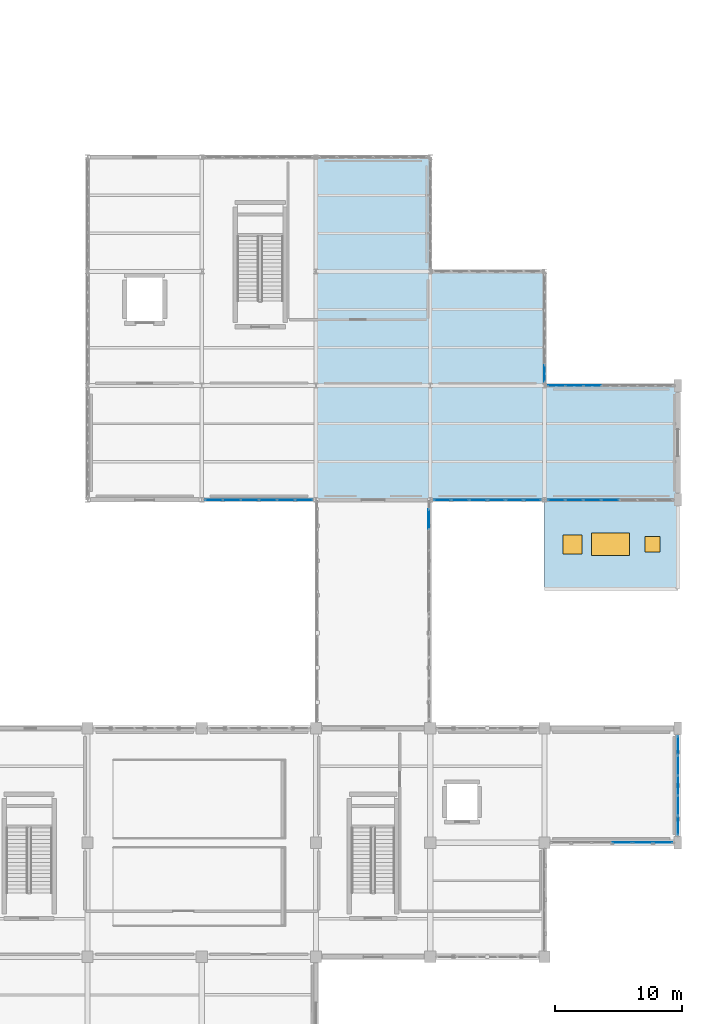
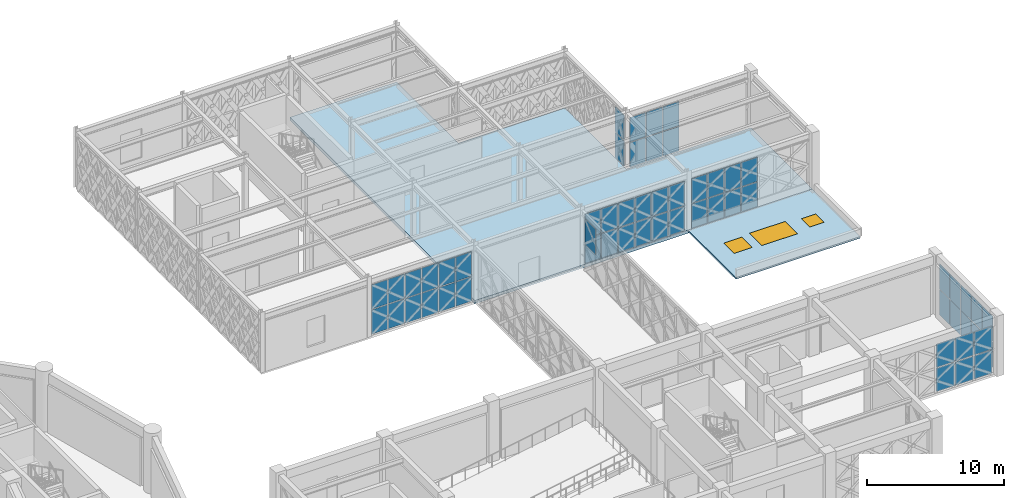
# One storey, part 136 of 166: 57 plates, 2 slabs, 2 windows, 1 door, 3 openings, 8 elements without a shape of their own.
"""IFC4 building model written with IfcOpenShell, lengths in metres."""

from ifc_helpers import new_model, si_unit, direction, frame, origin, origin_2d, place, context, subcontext, project, spatial, polyline, rectangle, outline, extrude, material, layer, layer_set, type_object, element, fill, aggregate, save


model = new_model("IFC4")

# Units and contexts
model_context = context("Model", 3, precision=1e-05, world=origin(), true_north=direction((0.0, 1.0)))
body_context = subcontext(model_context, "Body", "Model", "MODEL_VIEW")
ifc_project = project(units=[si_unit("LENGTHUNIT", "METRE"), si_unit("AREAUNIT", "SQUARE_METRE"), si_unit("VOLUMEUNIT", "CUBIC_METRE"), si_unit("PLANEANGLEUNIT", "RADIAN"), si_unit("MASSUNIT", "GRAM", prefix="KILO")], contexts=[model_context])

# Site, building, storey
site_placement = place(None, origin())
site = spatial("IfcSite", under=ifc_project, at=site_placement, CompositionType="ELEMENT")
building_placement = place(site_placement, origin())
building = spatial("IfcBuilding", under=site, at=building_placement, Name="Haizhuo Lancet Aquarium", CompositionType="ELEMENT")
storey_placement = place(building_placement, frame((0.0, 0.0, 5.39990234375)))
storey = spatial("IfcBuildingStorey", under=building, at=storey_placement, Name="L01", CompositionType="ELEMENT", Elevation=5.39990234375)

# Curtain wall, plates
ifc_material_1 = material(Name="Aluminium 6063-T6", Category="aluminium")
curtain_wall_type_1 = type_object("IfcCurtainWallType", Name="CWO-7910x4700", PredefinedType="NOTDEFINED", material=ifc_material_1)
curtain_wall_1_placement = place(storey_placement, origin())
curtain_wall_1 = element("IfcCurtainWall", 1, at=curtain_wall_1_placement, inside=storey, type_object=curtain_wall_type_1, Name="L01 curtain wall CW-V3-L01-041", PredefinedType="NOTDEFINED")
ifc_material_2 = material(Name="Laminated Low-E Glass", Category="glass")
ifc_layer_1 = layer(ifc_material_2, 0.028076171875)
ifc_layer_set_1 = layer_set([ifc_layer_1], Name="Laminated Low-E Glass")
plate_type_1 = type_object("IfcPlateType", Name="CW-PNL-1", PredefinedType="CURTAIN_PANEL", material=ifc_layer_set_1)
plate_1_placement = place(storey_placement, frame((82.5, -10.35498046875, 0.0751953125), z_axis=(0.0, 0.0, 1.0), x_axis=(0.0, -1.0, 0.0)))
plate_1 = element("IfcPlate", 2, at=plate_1_placement, type_object=plate_type_1, Name="CWO-79x47 panel 1.1", PredefinedType="CURTAIN_PANEL", context=body_context, shape_type="SweptSolid", body=[
    extrude(rectangle(XDim=1.468994140625, YDim=0.028076171875, at=origin_2d()), origin(), (0.0, 0.0, 1.0), 2.238037109375),
])
plate_2_placement = place(storey_placement, frame((82.5, -10.35498046875, 2.38720703125), z_axis=(0.0, 0.0, 1.0), x_axis=(0.0, -1.0, 0.0)))
plate_2 = element("IfcPlate", 3, at=plate_2_placement, type_object=plate_type_1, Name="CWO-79x47 panel 1.2", PredefinedType="CURTAIN_PANEL", context=body_context, shape_type="SweptSolid", body=[
    extrude(rectangle(XDim=1.468994140625, YDim=0.028076171875, at=origin_2d()), origin(), (0.0, 0.0, 1.0), 2.238037109375),
])
plate_3_placement = place(storey_placement, frame((82.5, -11.91796875, 0.0751953125), z_axis=(0.0, 0.0, 1.0), x_axis=(0.0, -1.0, 0.0)))
plate_3 = element("IfcPlate", 4, at=plate_3_placement, type_object=plate_type_1, Name="CWO-79x47 panel 2.1", PredefinedType="CURTAIN_PANEL", context=body_context, shape_type="SweptSolid", body=[
    extrude(rectangle(XDim=1.507080078125, YDim=0.028076171875, at=origin_2d()), origin(), (0.0, 0.0, 1.0), 2.238037109375),
])
plate_4_placement = place(storey_placement, frame((82.5, -11.91796875, 2.38720703125), z_axis=(0.0, 0.0, 1.0), x_axis=(0.0, -1.0, 0.0)))
plate_4 = element("IfcPlate", 5, at=plate_4_placement, type_object=plate_type_1, Name="CWO-79x47 panel 2.2", PredefinedType="CURTAIN_PANEL", context=body_context, shape_type="SweptSolid", body=[
    extrude(rectangle(XDim=1.507080078125, YDim=0.028076171875, at=origin_2d()), origin(), (0.0, 0.0, 1.0), 2.238037109375),
])
plate_5_placement = place(storey_placement, frame((82.5, -13.5, 0.0751953125), z_axis=(0.0, 0.0, 1.0), x_axis=(0.0, -1.0, 0.0)))
plate_5 = element("IfcPlate", 6, at=plate_5_placement, type_object=plate_type_1, Name="CWO-79x47 panel 3.1", PredefinedType="CURTAIN_PANEL", context=body_context, shape_type="SweptSolid", body=[
    extrude(rectangle(XDim=1.507080078125, YDim=0.028076171875, at=origin_2d()), origin(), (0.0, 0.0, 1.0), 2.238037109375),
])
plate_6_placement = place(storey_placement, frame((82.5, -13.5, 2.38720703125), z_axis=(0.0, 0.0, 1.0), x_axis=(0.0, -1.0, 0.0)))
plate_6 = element("IfcPlate", 7, at=plate_6_placement, type_object=plate_type_1, Name="CWO-79x47 panel 3.2", PredefinedType="CURTAIN_PANEL", context=body_context, shape_type="SweptSolid", body=[
    extrude(rectangle(XDim=1.507080078125, YDim=0.028076171875, at=origin_2d()), origin(), (0.0, 0.0, 1.0), 2.238037109375),
])
plate_7_placement = place(storey_placement, frame((82.5, -15.08203125, 0.0751953125), z_axis=(0.0, 0.0, 1.0), x_axis=(0.0, -1.0, 0.0)))
plate_7 = element("IfcPlate", 8, at=plate_7_placement, type_object=plate_type_1, Name="CWO-79x47 panel 4.1", PredefinedType="CURTAIN_PANEL", context=body_context, shape_type="SweptSolid", body=[
    extrude(rectangle(XDim=1.507080078125, YDim=0.028076171875, at=origin_2d()), origin(), (0.0, 0.0, 1.0), 2.238037109375),
])
plate_8_placement = place(storey_placement, frame((82.5, -15.08203125, 2.38720703125), z_axis=(0.0, 0.0, 1.0), x_axis=(0.0, -1.0, 0.0)))
plate_8 = element("IfcPlate", 9, at=plate_8_placement, type_object=plate_type_1, Name="CWO-79x47 panel 4.2", PredefinedType="CURTAIN_PANEL", context=body_context, shape_type="SweptSolid", body=[
    extrude(rectangle(XDim=1.507080078125, YDim=0.028076171875, at=origin_2d()), origin(), (0.0, 0.0, 1.0), 2.238037109375),
])
plate_9_placement = place(storey_placement, frame((82.5, -16.64501953125, 0.0751953125), z_axis=(0.0, 0.0, 1.0), x_axis=(0.0, -1.0, 0.0)))
plate_9 = element("IfcPlate", 10, at=plate_9_placement, type_object=plate_type_1, Name="CWO-79x47 panel 5.1", PredefinedType="CURTAIN_PANEL", context=body_context, shape_type="SweptSolid", body=[
    extrude(rectangle(XDim=1.469970703125, YDim=0.028076171875, at=origin_2d()), origin(), (0.0, 0.0, 1.0), 2.238037109375),
])
plate_10_placement = place(storey_placement, frame((82.5, -16.64501953125, 2.38720703125), z_axis=(0.0, 0.0, 1.0), x_axis=(0.0, -1.0, 0.0)))
plate_10 = element("IfcPlate", 11, at=plate_10_placement, type_object=plate_type_1, Name="CWO-79x47 panel 5.2", PredefinedType="CURTAIN_PANEL", context=body_context, shape_type="SweptSolid", body=[
    extrude(rectangle(XDim=1.469970703125, YDim=0.028076171875, at=origin_2d()), origin(), (0.0, 0.0, 1.0), 2.238037109375),
])
aggregate(curtain_wall_1, [plate_1, plate_2, plate_3, plate_4, plate_5, plate_6, plate_7, plate_8, plate_9, plate_10])

curtain_wall_type_2 = type_object("IfcCurtainWallType", Name="CWD-9940x4550", PredefinedType="NOTDEFINED", material=ifc_material_1)
curtain_wall_2_placement = place(storey_placement, origin())
curtain_wall_2 = element("IfcCurtainWall", 12, at=curtain_wall_2_placement, inside=storey, type_object=curtain_wall_type_2, Name="L01 curtain wall CW-V7-L01-289", PredefinedType="NOTDEFINED")
plate_11_placement = place(storey_placement, frame((72.946044921875, 18.0, 0.064453125), z_axis=(0.0, 0.0, 1.0), x_axis=(1.0, 0.0, 0.0)))
plate_11 = element("IfcPlate", 13, at=plate_11_placement, type_object=plate_type_1, Name="CWD-99x45 panel 1.1", PredefinedType="CURTAIN_PANEL", context=body_context, shape_type="SweptSolid", body=[
    extrude(rectangle(XDim=1.322021484375, YDim=0.028076171875, at=origin_2d()), origin(), (0.0, 0.0, 1.0), 2.178955078125),
])
plate_12_placement = place(storey_placement, frame((72.946044921875, 18.0, 2.30908203125), z_axis=(0.0, 0.0, 1.0), x_axis=(1.0, 0.0, 0.0)))
plate_12 = element("IfcPlate", 14, at=plate_12_placement, type_object=plate_type_1, Name="CWD-99x45 panel 1.2", PredefinedType="CURTAIN_PANEL", context=body_context, shape_type="SweptSolid", body=[
    extrude(rectangle(XDim=1.322021484375, YDim=0.028076171875, at=origin_2d()), origin(), (0.0, 0.0, 1.0), 2.177978515625),
])
plate_13_placement = place(storey_placement, frame((74.34912109375, 18.0, 0.064453125), z_axis=(0.0, 0.0, 1.0), x_axis=(1.0, 0.0, 0.0)))
plate_13 = element("IfcPlate", 15, at=plate_13_placement, type_object=plate_type_1, Name="CWD-99x45 panel 2.1", PredefinedType="CURTAIN_PANEL", context=body_context, shape_type="SweptSolid", body=[
    extrude(rectangle(XDim=1.35400390625, YDim=0.028076171875, at=origin_2d()), origin(), (0.0, 0.0, 1.0), 2.178955078125),
])
plate_14_placement = place(storey_placement, frame((74.34912109375, 18.0, 2.30908203125), z_axis=(0.0, 0.0, 1.0), x_axis=(1.0, 0.0, 0.0)))
plate_14 = element("IfcPlate", 16, at=plate_14_placement, type_object=plate_type_1, Name="CWD-99x45 panel 2.2", PredefinedType="CURTAIN_PANEL", context=body_context, shape_type="SweptSolid", body=[
    extrude(rectangle(XDim=1.35400390625, YDim=0.028076171875, at=origin_2d()), origin(), (0.0, 0.0, 1.0), 2.177978515625),
])
plate_15_placement = place(storey_placement, frame((75.76806640625, 18.0, 0.064453125), z_axis=(0.0, 0.0, 1.0), x_axis=(1.0, 0.0, 0.0)))
plate_15 = element("IfcPlate", 17, at=plate_15_placement, type_object=plate_type_1, Name="CWD-99x45 panel 3.1", PredefinedType="CURTAIN_PANEL", context=body_context, shape_type="SweptSolid", body=[
    extrude(rectangle(XDim=1.35400390625, YDim=0.028076171875, at=origin_2d()), origin(), (0.0, 0.0, 1.0), 2.178955078125),
])
plate_16_placement = place(storey_placement, frame((75.76806640625, 18.0, 2.30908203125), z_axis=(0.0, 0.0, 1.0), x_axis=(1.0, 0.0, 0.0)))
plate_16 = element("IfcPlate", 18, at=plate_16_placement, type_object=plate_type_1, Name="CWD-99x45 panel 3.2", PredefinedType="CURTAIN_PANEL", context=body_context, shape_type="SweptSolid", body=[
    extrude(rectangle(XDim=1.35400390625, YDim=0.028076171875, at=origin_2d()), origin(), (0.0, 0.0, 1.0), 2.177978515625),
])
aggregate(curtain_wall_2, [plate_11, plate_12, plate_13, plate_14, plate_15, plate_16])

curtain_wall_type_3 = type_object("IfcCurtainWallType", Name="CWO-9660x4390", PredefinedType="NOTDEFINED", material=ifc_material_1)
curtain_wall_3_placement = place(storey_placement, origin())
curtain_wall_3 = element("IfcCurtainWall", 19, at=curtain_wall_3_placement, inside=storey, type_object=curtain_wall_type_3, Name="L01 curtain wall CW-V3-L01-042", PredefinedType="NOTDEFINED")
ifc_layer_2 = layer(ifc_material_2, 0.033935546875)
ifc_layer_set_2 = layer_set([ifc_layer_2], Name="Laminated Low-E Glass")
plate_type_2 = type_object("IfcPlateType", Name="CW-PNL-2", PredefinedType="CURTAIN_PANEL", material=ifc_layer_set_2)
plate_17_placement = place(storey_placement, frame((81.330078125, -18.0, 0.08056640625), z_axis=(0.0, 0.0, 1.0), x_axis=(-1.0, 0.0, 0.0)))
plate_17 = element("IfcPlate", 20, at=plate_17_placement, type_object=plate_type_2, Name="CWO-96x43 panel 1.1", PredefinedType="CURTAIN_PANEL", context=body_context, shape_type="SweptSolid", body=[
    extrude(rectangle(XDim=1.489990234375, YDim=0.033935546875, at=origin_2d()), origin(), (0.0, 0.0, 1.0), 2.074951171875),
])
plate_18_placement = place(storey_placement, frame((81.330078125, -18.0, 2.23486328125), z_axis=(0.0, 0.0, 1.0), x_axis=(-1.0, 0.0, 0.0)))
plate_18 = element("IfcPlate", 21, at=plate_18_placement, type_object=plate_type_2, Name="CWO-96x43 panel 1.2", PredefinedType="CURTAIN_PANEL", context=body_context, shape_type="SweptSolid", body=[
    extrude(rectangle(XDim=1.489990234375, YDim=0.033935546875, at=origin_2d()), origin(), (0.0, 0.0, 1.0), 2.074951171875),
])
plate_19_placement = place(storey_placement, frame((79.739990234375, -18.0, 0.08056640625), z_axis=(0.0, 0.0, 1.0), x_axis=(-1.0, 0.0, 0.0)))
plate_19 = element("IfcPlate", 22, at=plate_19_placement, type_object=plate_type_2, Name="CWO-96x43 panel 2.1", PredefinedType="CURTAIN_PANEL", context=body_context, shape_type="SweptSolid", body=[
    extrude(rectangle(XDim=1.530029296875, YDim=0.033935546875, at=origin_2d()), origin(), (0.0, 0.0, 1.0), 2.074951171875),
])
plate_20_placement = place(storey_placement, frame((79.739990234375, -18.0, 2.23486328125), z_axis=(0.0, 0.0, 1.0), x_axis=(-1.0, 0.0, 0.0)))
plate_20 = element("IfcPlate", 23, at=plate_20_placement, type_object=plate_type_2, Name="CWO-96x43 panel 2.2", PredefinedType="CURTAIN_PANEL", context=body_context, shape_type="SweptSolid", body=[
    extrude(rectangle(XDim=1.530029296875, YDim=0.033935546875, at=origin_2d()), origin(), (0.0, 0.0, 1.0), 2.074951171875),
])
plate_21_placement = place(storey_placement, frame((78.1298828125, -18.0, 0.08056640625), z_axis=(0.0, 0.0, 1.0), x_axis=(-1.0, 0.0, 0.0)))
plate_21 = element("IfcPlate", 24, at=plate_21_placement, type_object=plate_type_2, Name="CWO-96x43 panel 3.1", PredefinedType="CURTAIN_PANEL", context=body_context, shape_type="SweptSolid", body=[
    extrude(rectangle(XDim=1.530029296875, YDim=0.033935546875, at=origin_2d()), origin(), (0.0, 0.0, 1.0), 2.074951171875),
])
plate_22_placement = place(storey_placement, frame((78.1298828125, -18.0, 2.23486328125), z_axis=(0.0, 0.0, 1.0), x_axis=(-1.0, 0.0, 0.0)))
plate_22 = element("IfcPlate", 25, at=plate_22_placement, type_object=plate_type_2, Name="CWO-96x43 panel 3.2", PredefinedType="CURTAIN_PANEL", context=body_context, shape_type="SweptSolid", body=[
    extrude(rectangle(XDim=1.530029296875, YDim=0.033935546875, at=origin_2d()), origin(), (0.0, 0.0, 1.0), 2.074951171875),
])
aggregate(curtain_wall_3, [plate_17, plate_18, plate_19, plate_20, plate_21, plate_22])

curtain_wall_type_4 = type_object("IfcCurtainWallType", Name="CWO-9940x4550", PredefinedType="NOTDEFINED", material=ifc_material_1)
curtain_wall_4_placement = place(storey_placement, origin())
curtain_wall_4 = element("IfcCurtainWall", 26, at=curtain_wall_4_placement, inside=storey, type_object=curtain_wall_type_4, Name="L01 curtain wall CW-V7-L01-290", PredefinedType="NOTDEFINED")
plate_23_placement = place(storey_placement, frame((77.18798828125, 9.0, 0.074951171875), z_axis=(0.0, 0.0, 1.0), x_axis=(-1.0, 0.0, 0.0)))
plate_23 = element("IfcPlate", 27, at=plate_23_placement, type_object=plate_type_2, Name="CWO-99x45 panel 4.1", PredefinedType="CURTAIN_PANEL", context=body_context, shape_type="SweptSolid", body=[
    extrude(rectangle(XDim=1.343994140625, YDim=0.033935546875, at=origin_2d()), origin(), (0.0, 0.0, 1.0), 2.1640625),
])
plate_24_placement = place(storey_placement, frame((77.18798828125, 9.0, 2.31298828125), z_axis=(0.0, 0.0, 1.0), x_axis=(-1.0, 0.0, 0.0)))
plate_24 = element("IfcPlate", 28, at=plate_24_placement, type_object=plate_type_2, Name="CWO-99x45 panel 4.2", PredefinedType="CURTAIN_PANEL", context=body_context, shape_type="SweptSolid", body=[
    extrude(rectangle(XDim=1.343994140625, YDim=0.033935546875, at=origin_2d()), origin(), (0.0, 0.0, 1.0), 2.1640625),
])
plate_25_placement = place(storey_placement, frame((75.76806640625, 9.0, 0.074951171875), z_axis=(0.0, 0.0, 1.0), x_axis=(-1.0, 0.0, 0.0)))
plate_25 = element("IfcPlate", 29, at=plate_25_placement, type_object=plate_type_2, Name="CWO-99x45 panel 5.1", PredefinedType="CURTAIN_PANEL", context=body_context, shape_type="SweptSolid", body=[
    extrude(rectangle(XDim=1.343994140625, YDim=0.033935546875, at=origin_2d()), origin(), (0.0, 0.0, 1.0), 2.1640625),
])
plate_26_placement = place(storey_placement, frame((75.76806640625, 9.0, 2.31298828125), z_axis=(0.0, 0.0, 1.0), x_axis=(-1.0, 0.0, 0.0)))
plate_26 = element("IfcPlate", 30, at=plate_26_placement, type_object=plate_type_2, Name="CWO-99x45 panel 5.2", PredefinedType="CURTAIN_PANEL", context=body_context, shape_type="SweptSolid", body=[
    extrude(rectangle(XDim=1.343994140625, YDim=0.033935546875, at=origin_2d()), origin(), (0.0, 0.0, 1.0), 2.1640625),
])
plate_27_placement = place(storey_placement, frame((74.34912109375, 9.0, 0.074951171875), z_axis=(0.0, 0.0, 1.0), x_axis=(-1.0, 0.0, 0.0)))
plate_27 = element("IfcPlate", 31, at=plate_27_placement, type_object=plate_type_2, Name="CWO-99x45 panel 6.1", PredefinedType="CURTAIN_PANEL", context=body_context, shape_type="SweptSolid", body=[
    extrude(rectangle(XDim=1.343994140625, YDim=0.033935546875, at=origin_2d()), origin(), (0.0, 0.0, 1.0), 2.1640625),
])
plate_28_placement = place(storey_placement, frame((74.34912109375, 9.0, 2.31298828125), z_axis=(0.0, 0.0, 1.0), x_axis=(-1.0, 0.0, 0.0)))
plate_28 = element("IfcPlate", 32, at=plate_28_placement, type_object=plate_type_2, Name="CWO-99x45 panel 6.2", PredefinedType="CURTAIN_PANEL", context=body_context, shape_type="SweptSolid", body=[
    extrude(rectangle(XDim=1.343994140625, YDim=0.033935546875, at=origin_2d()), origin(), (0.0, 0.0, 1.0), 2.1640625),
])
plate_29_placement = place(storey_placement, frame((72.947998046875, 9.0, 0.074951171875), z_axis=(0.0, 0.0, 1.0), x_axis=(-1.0, 0.0, 0.0)))
plate_29 = element("IfcPlate", 33, at=plate_29_placement, type_object=plate_type_2, Name="CWO-99x45 panel 7.1", PredefinedType="CURTAIN_PANEL", context=body_context, shape_type="SweptSolid", body=[
    extrude(rectangle(XDim=1.306884765625, YDim=0.033935546875, at=origin_2d()), origin(), (0.0, 0.0, 1.0), 2.1640625),
])
plate_30_placement = place(storey_placement, frame((72.947998046875, 9.0, 2.31298828125), z_axis=(0.0, 0.0, 1.0), x_axis=(-1.0, 0.0, 0.0)))
plate_30 = element("IfcPlate", 34, at=plate_30_placement, type_object=plate_type_2, Name="CWO-99x45 panel 7.2", PredefinedType="CURTAIN_PANEL", context=body_context, shape_type="SweptSolid", body=[
    extrude(rectangle(XDim=1.306884765625, YDim=0.033935546875, at=origin_2d()), origin(), (0.0, 0.0, 1.0), 2.1640625),
])
aggregate(curtain_wall_4, [plate_23, plate_24, plate_25, plate_26, plate_27, plate_28, plate_29, plate_30])

curtain_wall_type_5 = type_object("IfcCurtainWallType", Name="CWO-8560x4550", PredefinedType="NOTDEFINED", material=ifc_material_1)
curtain_wall_5_placement = place(storey_placement, origin())
curtain_wall_5 = element("IfcCurtainWall", 35, at=curtain_wall_5_placement, inside=storey, type_object=curtain_wall_type_5, Name="L01 curtain wall CW-V7-L01-291", PredefinedType="NOTDEFINED")
ifc_layer_3 = layer(ifc_material_2, 0.0419921875)
ifc_layer_set_3 = layer_set([ifc_layer_3], Name="Laminated Low-E Glass")
plate_type_3 = type_object("IfcPlateType", Name="CW-PNL-3", PredefinedType="CURTAIN_PANEL", material=ifc_layer_set_3)
plate_31_placement = place(storey_placement, frame((71.047119140625, 9.0, 0.080078125), z_axis=(0.0, 0.0, 1.0), x_axis=(-1.0, 0.0, 0.0)))
plate_31 = element("IfcPlate", 36, at=plate_31_placement, type_object=plate_type_3, Name="CWO-85x45 panel 1.1", PredefinedType="CURTAIN_PANEL", context=body_context, shape_type="SweptSolid", body=[
    extrude(rectangle(XDim=1.306884765625, YDim=0.0419921875, at=origin_2d()), origin(), (0.0, 0.0, 1.0), 2.156005859375),
])
plate_32_placement = place(storey_placement, frame((71.047119140625, 9.0, 2.31591796875), z_axis=(0.0, 0.0, 1.0), x_axis=(-1.0, 0.0, 0.0)))
plate_32 = element("IfcPlate", 37, at=plate_32_placement, type_object=plate_type_3, Name="CWO-85x45 panel 1.2", PredefinedType="CURTAIN_PANEL", context=body_context, shape_type="SweptSolid", body=[
    extrude(rectangle(XDim=1.306884765625, YDim=0.0419921875, at=origin_2d()), origin(), (0.0, 0.0, 1.0), 2.156005859375),
])
plate_33_placement = place(storey_placement, frame((69.639892578125, 9.0, 0.080078125), z_axis=(0.0, 0.0, 1.0), x_axis=(-1.0, 0.0, 0.0)))
plate_33 = element("IfcPlate", 38, at=plate_33_placement, type_object=plate_type_3, Name="CWO-85x45 panel 2.1", PredefinedType="CURTAIN_PANEL", context=body_context, shape_type="SweptSolid", body=[
    extrude(rectangle(XDim=1.346923828125, YDim=0.0419921875, at=origin_2d()), origin(), (0.0, 0.0, 1.0), 2.156005859375),
])
plate_34_placement = place(storey_placement, frame((69.639892578125, 9.0, 2.31591796875), z_axis=(0.0, 0.0, 1.0), x_axis=(-1.0, 0.0, 0.0)))
plate_34 = element("IfcPlate", 39, at=plate_34_placement, type_object=plate_type_3, Name="CWO-85x45 panel 2.2", PredefinedType="CURTAIN_PANEL", context=body_context, shape_type="SweptSolid", body=[
    extrude(rectangle(XDim=1.346923828125, YDim=0.0419921875, at=origin_2d()), origin(), (0.0, 0.0, 1.0), 2.156005859375),
])
plate_35_placement = place(storey_placement, frame((68.212890625, 9.0, 0.080078125), z_axis=(0.0, 0.0, 1.0), x_axis=(-1.0, 0.0, 0.0)))
plate_35 = element("IfcPlate", 40, at=plate_35_placement, type_object=plate_type_3, Name="CWO-85x45 panel 3.1", PredefinedType="CURTAIN_PANEL", context=body_context, shape_type="SweptSolid", body=[
    extrude(rectangle(XDim=1.346923828125, YDim=0.0419921875, at=origin_2d()), origin(), (0.0, 0.0, 1.0), 2.156005859375),
])
plate_36_placement = place(storey_placement, frame((68.212890625, 9.0, 2.31591796875), z_axis=(0.0, 0.0, 1.0), x_axis=(-1.0, 0.0, 0.0)))
plate_36 = element("IfcPlate", 41, at=plate_36_placement, type_object=plate_type_3, Name="CWO-85x45 panel 3.2", PredefinedType="CURTAIN_PANEL", context=body_context, shape_type="SweptSolid", body=[
    extrude(rectangle(XDim=1.346923828125, YDim=0.0419921875, at=origin_2d()), origin(), (0.0, 0.0, 1.0), 2.156005859375),
])
plate_37_placement = place(storey_placement, frame((66.787109375, 9.0, 0.080078125), z_axis=(0.0, 0.0, 1.0), x_axis=(-1.0, 0.0, 0.0)))
plate_37 = element("IfcPlate", 42, at=plate_37_placement, type_object=plate_type_3, Name="CWO-85x45 panel 4.1", PredefinedType="CURTAIN_PANEL", context=body_context, shape_type="SweptSolid", body=[
    extrude(rectangle(XDim=1.346923828125, YDim=0.0419921875, at=origin_2d()), origin(), (0.0, 0.0, 1.0), 2.156005859375),
])
plate_38_placement = place(storey_placement, frame((66.787109375, 9.0, 2.31591796875), z_axis=(0.0, 0.0, 1.0), x_axis=(-1.0, 0.0, 0.0)))
plate_38 = element("IfcPlate", 43, at=plate_38_placement, type_object=plate_type_3, Name="CWO-85x45 panel 4.2", PredefinedType="CURTAIN_PANEL", context=body_context, shape_type="SweptSolid", body=[
    extrude(rectangle(XDim=1.346923828125, YDim=0.0419921875, at=origin_2d()), origin(), (0.0, 0.0, 1.0), 2.156005859375),
])
plate_39_placement = place(storey_placement, frame((65.360107421875, 9.0, 0.080078125), z_axis=(0.0, 0.0, 1.0), x_axis=(-1.0, 0.0, 0.0)))
plate_39 = element("IfcPlate", 44, at=plate_39_placement, type_object=plate_type_3, Name="CWO-85x45 panel 5.1", PredefinedType="CURTAIN_PANEL", context=body_context, shape_type="SweptSolid", body=[
    extrude(rectangle(XDim=1.346923828125, YDim=0.0419921875, at=origin_2d()), origin(), (0.0, 0.0, 1.0), 2.156005859375),
])
plate_40_placement = place(storey_placement, frame((65.360107421875, 9.0, 2.31591796875), z_axis=(0.0, 0.0, 1.0), x_axis=(-1.0, 0.0, 0.0)))
plate_40 = element("IfcPlate", 45, at=plate_40_placement, type_object=plate_type_3, Name="CWO-85x45 panel 5.2", PredefinedType="CURTAIN_PANEL", context=body_context, shape_type="SweptSolid", body=[
    extrude(rectangle(XDim=1.346923828125, YDim=0.0419921875, at=origin_2d()), origin(), (0.0, 0.0, 1.0), 2.156005859375),
])
plate_41_placement = place(storey_placement, frame((63.952880859375, 9.0, 0.080078125), z_axis=(0.0, 0.0, 1.0), x_axis=(-1.0, 0.0, 0.0)))
plate_41 = element("IfcPlate", 46, at=plate_41_placement, type_object=plate_type_3, Name="CWO-85x45 panel 6.1", PredefinedType="CURTAIN_PANEL", context=body_context, shape_type="SweptSolid", body=[
    extrude(rectangle(XDim=1.306884765625, YDim=0.0419921875, at=origin_2d()), origin(), (0.0, 0.0, 1.0), 2.156005859375),
])
plate_42_placement = place(storey_placement, frame((63.952880859375, 9.0, 2.31591796875), z_axis=(0.0, 0.0, 1.0), x_axis=(-1.0, 0.0, 0.0)))
plate_42 = element("IfcPlate", 47, at=plate_42_placement, type_object=plate_type_3, Name="CWO-85x45 panel 6.2", PredefinedType="CURTAIN_PANEL", context=body_context, shape_type="SweptSolid", body=[
    extrude(rectangle(XDim=1.306884765625, YDim=0.0419921875, at=origin_2d()), origin(), (0.0, 0.0, 1.0), 2.156005859375),
])
aggregate(curtain_wall_5, [plate_31, plate_32, plate_33, plate_34, plate_35, plate_36, plate_37, plate_38, plate_39, plate_40, plate_41, plate_42])

# Curtain wall, plate
curtain_wall_type_6 = type_object("IfcCurtainWallType", Name="CWO-8200x4750", PredefinedType="NOTDEFINED", material=ifc_material_1)
curtain_wall_6_placement = place(storey_placement, origin())
curtain_wall_6 = element("IfcCurtainWall", 48, at=curtain_wall_6_placement, inside=storey, type_object=curtain_wall_type_6, Name="L01 curtain wall CW-SB-02-E2", PredefinedType="NOTDEFINED")
plate_43_placement = place(storey_placement, frame((62.8798828125, 7.48388671875, 2.40771484375), z_axis=(0.0, 0.0, 1.0), x_axis=(0.0, -1.0, 0.0)))
plate_43 = element("IfcPlate", 49, at=plate_43_placement, type_object=plate_type_3, Name="CWO-82x47 panel 1.2", PredefinedType="CURTAIN_PANEL", context=body_context, shape_type="SweptSolid", body=[
    extrude(rectangle(XDim=1.54296875, YDim=0.0419921875, at=origin_2d()), origin(), (0.0, 0.0, 1.0), 2.277099609375),
])
aggregate(curtain_wall_6, [plate_43])

# Curtain wall, plates
curtain_wall_type_7 = type_object("IfcCurtainWallType", Name="CWD-8560x4650", PredefinedType="NOTDEFINED", material=ifc_material_1)
curtain_wall_7_placement = place(storey_placement, origin())
curtain_wall_7 = element("IfcCurtainWall", 50, at=curtain_wall_7_placement, inside=storey, type_object=curtain_wall_type_7, Name="L01 curtain wall CW-V7-L01-288", PredefinedType="NOTDEFINED")
ifc_layer_4 = layer(ifc_material_2, 0.052001953125)
ifc_layer_set_4 = layer_set([ifc_layer_4], Name="Laminated Low-E Glass")
plate_type_4 = type_object("IfcPlateType", Name="CW-PNL-4", PredefinedType="CURTAIN_PANEL", material=ifc_layer_set_4)
plate_44_placement = place(storey_placement, frame((72.0, 18.952880859375, 0.080078125), z_axis=(0.0, 0.0, 1.0), x_axis=(0.0, -1.0, 0.0)))
plate_44 = element("IfcPlate", 51, at=plate_44_placement, type_object=plate_type_4, Name="CWD-85x46 panel 6.1", PredefinedType="CURTAIN_PANEL", context=body_context, shape_type="SweptSolid", body=[
    extrude(rectangle(XDim=1.306884765625, YDim=0.052001953125, at=origin_2d()), origin(), (0.0, 0.0, 1.0), 2.2060546875),
])
plate_45_placement = place(storey_placement, frame((72.0, 18.952880859375, 2.365966796875), z_axis=(0.0, 0.0, 1.0), x_axis=(0.0, -1.0, 0.0)))
plate_45 = element("IfcPlate", 52, at=plate_45_placement, type_object=plate_type_4, Name="CWD-85x46 panel 6.2", PredefinedType="CURTAIN_PANEL", context=body_context, shape_type="SweptSolid", body=[
    extrude(rectangle(XDim=1.306884765625, YDim=0.052001953125, at=origin_2d()), origin(), (0.0, 0.0, 1.0), 2.2060546875),
])
aggregate(curtain_wall_7, [plate_44, plate_45])

curtain_wall_8_placement = place(storey_placement, origin())
curtain_wall_8 = element("IfcCurtainWall", 53, at=curtain_wall_8_placement, inside=storey, type_object=curtain_wall_type_5, Name="L01 curtain wall CW-V7-L01-292", PredefinedType="NOTDEFINED")
plate_46_placement = place(storey_placement, frame((53.050048828125, 9.0, 0.064453125), z_axis=(0.0, 0.0, 1.0), x_axis=(-1.0, 0.0, 0.0)))
plate_46 = element("IfcPlate", 54, at=plate_46_placement, type_object=plate_type_4, Name="CWO-85x45 panel 1.1", PredefinedType="CURTAIN_PANEL", context=body_context, shape_type="SweptSolid", body=[
    extrude(rectangle(XDim=1.3291015625, YDim=0.052001953125, at=origin_2d()), origin(), (0.0, 0.0, 1.0), 2.178955078125),
])
plate_47_placement = place(storey_placement, frame((53.050048828125, 9.0, 2.30908203125), z_axis=(0.0, 0.0, 1.0), x_axis=(-1.0, 0.0, 0.0)))
plate_47 = element("IfcPlate", 55, at=plate_47_placement, type_object=plate_type_4, Name="CWO-85x45 panel 1.2", PredefinedType="CURTAIN_PANEL", context=body_context, shape_type="SweptSolid", body=[
    extrude(rectangle(XDim=1.3291015625, YDim=0.052001953125, at=origin_2d()), origin(), (0.0, 0.0, 1.0), 2.177978515625),
])
plate_48_placement = place(storey_placement, frame((51.639892578125, 9.0, 0.064453125), z_axis=(0.0, 0.0, 1.0), x_axis=(-1.0, 0.0, 0.0)))
plate_48 = element("IfcPlate", 56, at=plate_48_placement, type_object=plate_type_4, Name="CWO-85x45 panel 2.1", PredefinedType="CURTAIN_PANEL", context=body_context, shape_type="SweptSolid", body=[
    extrude(rectangle(XDim=1.362060546875, YDim=0.052001953125, at=origin_2d()), origin(), (0.0, 0.0, 1.0), 2.178955078125),
])
plate_49_placement = place(storey_placement, frame((51.639892578125, 9.0, 2.30908203125), z_axis=(0.0, 0.0, 1.0), x_axis=(-1.0, 0.0, 0.0)))
plate_49 = element("IfcPlate", 57, at=plate_49_placement, type_object=plate_type_4, Name="CWO-85x45 panel 2.2", PredefinedType="CURTAIN_PANEL", context=body_context, shape_type="SweptSolid", body=[
    extrude(rectangle(XDim=1.362060546875, YDim=0.052001953125, at=origin_2d()), origin(), (0.0, 0.0, 1.0), 2.177978515625),
])
plate_50_placement = place(storey_placement, frame((50.212890625, 9.0, 0.064453125), z_axis=(0.0, 0.0, 1.0), x_axis=(-1.0, 0.0, 0.0)))
plate_50 = element("IfcPlate", 58, at=plate_50_placement, type_object=plate_type_4, Name="CWO-85x45 panel 3.1", PredefinedType="CURTAIN_PANEL", context=body_context, shape_type="SweptSolid", body=[
    extrude(rectangle(XDim=1.362060546875, YDim=0.052001953125, at=origin_2d()), origin(), (0.0, 0.0, 1.0), 2.178955078125),
])
plate_51_placement = place(storey_placement, frame((50.212890625, 9.0, 2.30908203125), z_axis=(0.0, 0.0, 1.0), x_axis=(-1.0, 0.0, 0.0)))
plate_51 = element("IfcPlate", 59, at=plate_51_placement, type_object=plate_type_4, Name="CWO-85x45 panel 3.2", PredefinedType="CURTAIN_PANEL", context=body_context, shape_type="SweptSolid", body=[
    extrude(rectangle(XDim=1.362060546875, YDim=0.052001953125, at=origin_2d()), origin(), (0.0, 0.0, 1.0), 2.177978515625),
])
plate_52_placement = place(storey_placement, frame((48.787109375, 9.0, 0.064453125), z_axis=(0.0, 0.0, 1.0), x_axis=(-1.0, 0.0, 0.0)))
plate_52 = element("IfcPlate", 60, at=plate_52_placement, type_object=plate_type_4, Name="CWO-85x45 panel 4.1", PredefinedType="CURTAIN_PANEL", context=body_context, shape_type="SweptSolid", body=[
    extrude(rectangle(XDim=1.362060546875, YDim=0.052001953125, at=origin_2d()), origin(), (0.0, 0.0, 1.0), 2.178955078125),
])
plate_53_placement = place(storey_placement, frame((48.787109375, 9.0, 2.30908203125), z_axis=(0.0, 0.0, 1.0), x_axis=(-1.0, 0.0, 0.0)))
plate_53 = element("IfcPlate", 61, at=plate_53_placement, type_object=plate_type_4, Name="CWO-85x45 panel 4.2", PredefinedType="CURTAIN_PANEL", context=body_context, shape_type="SweptSolid", body=[
    extrude(rectangle(XDim=1.362060546875, YDim=0.052001953125, at=origin_2d()), origin(), (0.0, 0.0, 1.0), 2.177978515625),
])
plate_54_placement = place(storey_placement, frame((47.360107421875, 9.0, 0.064453125), z_axis=(0.0, 0.0, 1.0), x_axis=(-1.0, 0.0, 0.0)))
plate_54 = element("IfcPlate", 62, at=plate_54_placement, type_object=plate_type_4, Name="CWO-85x45 panel 5.1", PredefinedType="CURTAIN_PANEL", context=body_context, shape_type="SweptSolid", body=[
    extrude(rectangle(XDim=1.362060546875, YDim=0.052001953125, at=origin_2d()), origin(), (0.0, 0.0, 1.0), 2.178955078125),
])
plate_55_placement = place(storey_placement, frame((47.360107421875, 9.0, 2.30908203125), z_axis=(0.0, 0.0, 1.0), x_axis=(-1.0, 0.0, 0.0)))
plate_55 = element("IfcPlate", 63, at=plate_55_placement, type_object=plate_type_4, Name="CWO-85x45 panel 5.2", PredefinedType="CURTAIN_PANEL", context=body_context, shape_type="SweptSolid", body=[
    extrude(rectangle(XDim=1.362060546875, YDim=0.052001953125, at=origin_2d()), origin(), (0.0, 0.0, 1.0), 2.177978515625),
])
plate_56_placement = place(storey_placement, frame((45.949951171875, 9.0, 0.064453125), z_axis=(0.0, 0.0, 1.0), x_axis=(-1.0, 0.0, 0.0)))
plate_56 = element("IfcPlate", 64, at=plate_56_placement, type_object=plate_type_4, Name="CWO-85x45 panel 6.1", PredefinedType="CURTAIN_PANEL", context=body_context, shape_type="SweptSolid", body=[
    extrude(rectangle(XDim=1.3291015625, YDim=0.052001953125, at=origin_2d()), origin(), (0.0, 0.0, 1.0), 2.178955078125),
])
plate_57_placement = place(storey_placement, frame((45.949951171875, 9.0, 2.30908203125), z_axis=(0.0, 0.0, 1.0), x_axis=(-1.0, 0.0, 0.0)))
plate_57 = element("IfcPlate", 65, at=plate_57_placement, type_object=plate_type_4, Name="CWO-85x45 panel 6.2", PredefinedType="CURTAIN_PANEL", context=body_context, shape_type="SweptSolid", body=[
    extrude(rectangle(XDim=1.3291015625, YDim=0.052001953125, at=origin_2d()), origin(), (0.0, 0.0, 1.0), 2.177978515625),
])
aggregate(curtain_wall_8, [plate_46, plate_47, plate_48, plate_49, plate_50, plate_51, plate_52, plate_53, plate_54, plate_55, plate_56, plate_57])

# Slab, openings, door, windows
ifc_material_3 = material(Name="Concrete C40/50", Category="concrete")
ifc_layer_5 = layer(ifc_material_3, 0.14990234375)
ifc_layer_set_5 = layer_set([ifc_layer_5], Name="Concrete C40/50")
slab_type_1 = type_object("IfcSlabType", Name="SLB-CANOPY-150", PredefinedType="ROOF", material=ifc_layer_set_5)
slab_1_placement = place(storey_placement, frame((0.0, 0.0, -0.14990234375)))
slab_1 = element("IfcSlab", 66, at=slab_1_placement, inside=storey, type_object=slab_type_1, Name="L01 structural slab SL-L01-V7-CAN-01", PredefinedType="ROOF", context=body_context, shape_type="SweptSolid", body=[
    extrude(outline(polyline([(72.0, 2.0), (82.5, 2.0), (82.5, 9.0), (72.0, 9.0), (72.0, 2.0)])), origin(), (0.0, 0.0, 1.0), 0.14990234375),
])
opening_1_placement = place(slab_1_placement, frame((77.199951171875, 5.5, 0.0)))
opening_1 = element("IfcOpeningElement", 67, at=opening_1_placement, cuts=slab_1, Name="Opening SK-02", PredefinedType="OPENING", context=body_context, shape_type="SweptSolid", body=[
    extrude(rectangle(XDim=3.0, YDim=1.800048828125, at=origin_2d()), origin(), (0.0, 0.0, 1.0), 0.14990234375),
])
opening_2_placement = place(slab_1_placement, frame((74.199951171875, 5.5, 0.0)))
opening_2 = element("IfcOpeningElement", 68, at=opening_2_placement, cuts=slab_1, Name="Opening LDM-02", PredefinedType="OPENING", context=body_context, shape_type="SweptSolid", body=[
    extrude(rectangle(XDim=1.5, YDim=1.5, at=origin_2d()), origin(), (0.0, 0.0, 1.0), 0.14990234375),
])
opening_3_placement = place(slab_1_placement, frame((80.5, 5.5, 0.0)))
opening_3 = element("IfcOpeningElement", 69, at=opening_3_placement, cuts=slab_1, Name="Opening HD-01", PredefinedType="OPENING", context=body_context, shape_type="SweptSolid", body=[
    extrude(rectangle(XDim=1.199951171875, YDim=1.199951171875, at=origin_2d()), origin(), (0.0, 0.0, 1.0), 0.14990234375),
])
ifc_material_4 = material(Name="Steel S355", Category="steel")
door_type = type_object("IfcDoorType", Name="EDR-HATCH-1200x1200", OperationType="NOTDEFINED", PredefinedType="TRAPDOOR", material=ifc_material_4)
door_placement = place(opening_3_placement, frame((0.0, 0.0, 0.099853515625)))
door = element("IfcDoor", 70, at=door_placement, inside=storey, type_object=door_type, Name="L01 roof opening HD-05", OperationType="SINGLE_SWING_LEFT", OverallHeight=1.199951171875, OverallWidth=1.199951171875, PredefinedType="TRAPDOOR", context=body_context, shape_type="SweptSolid", body=[
    extrude(rectangle(XDim=1.199951171875, YDim=1.199951171875, at=origin_2d()), origin(), (0.0, 0.0, 1.0), 0.050048828125),
])
fill(opening_3, door)
window_type_1 = type_object("IfcWindowType", Name="WIN-LDM-1500x1500", PartitioningType="SINGLE_PANEL", PredefinedType="LIGHTDOME", material=ifc_material_2)
window_1_placement = place(opening_2_placement, frame((0.0, 0.0, 0.099853515625)))
window_1 = element("IfcWindow", 71, at=window_1_placement, inside=storey, type_object=window_type_1, Name="L01 roof opening LDM-06", OverallHeight=1.5, OverallWidth=1.5, PartitioningType="SINGLE_PANEL", PredefinedType="LIGHTDOME", context=body_context, shape_type="SweptSolid", body=[
    extrude(rectangle(XDim=1.5, YDim=1.5, at=origin_2d()), origin(), (0.0, 0.0, 1.0), 0.050048828125),
])
fill(opening_2, window_1)
window_type_2 = type_object("IfcWindowType", Name="WIN-SKY-3000x1800", PartitioningType="SINGLE_PANEL", PredefinedType="SKYLIGHT", material=ifc_material_2)
window_2_placement = place(opening_1_placement, frame((0.0, 0.0, 0.099853515625)))
window_2 = element("IfcWindow", 72, at=window_2_placement, inside=storey, type_object=window_type_2, Name="L01 roof opening SK-05", OverallHeight=1.800048828125, OverallWidth=3.0, PartitioningType="SINGLE_PANEL", PredefinedType="SKYLIGHT", context=body_context, shape_type="SweptSolid", body=[
    extrude(rectangle(XDim=3.0, YDim=1.800048828125, at=origin_2d()), origin(), (0.0, 0.0, 1.0), 0.050048828125),
])
fill(opening_1, window_2)

# Slab
ifc_layer_6 = layer(ifc_material_3, 0.280029296875)
ifc_layer_set_6 = layer_set([ifc_layer_6], Name="Concrete C40/50")
slab_type_2 = type_object("IfcSlabType", Name="SLB-HEAVY-280", PredefinedType="FLOOR", material=ifc_layer_set_6)
slab_2_placement = place(storey_placement, frame((0.0, 0.0, -0.27978515625)))
element("IfcSlab", 73, at=slab_2_placement, inside=storey, type_object=slab_type_2, Name="L01 structural slab SL-L01-V7-02", PredefinedType="FLOOR", context=body_context, shape_type="SweptSolid", body=[
    extrude(outline(polyline([(63.0, 36.0), (54.0, 36.0), (54.0, 9.0), (82.5, 9.0), (82.5, 18.0), (72.0, 18.0), (72.0, 27.0), (63.0, 27.0), (63.0, 36.0)])), origin(), (0.0, 0.0, 1.0), 0.27978515625),
])

save(model, "model.ifc")
